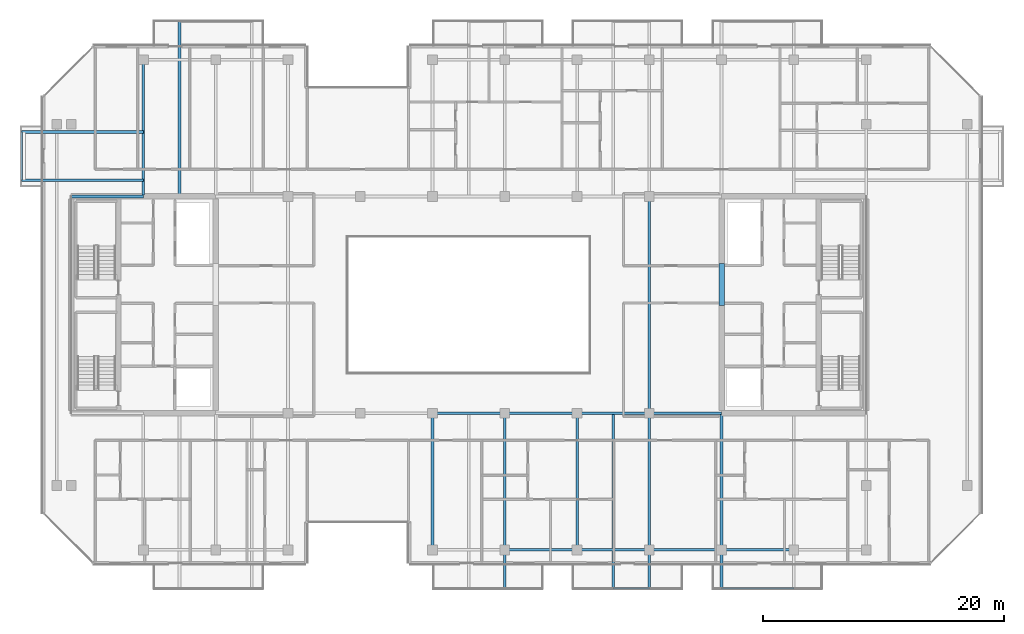
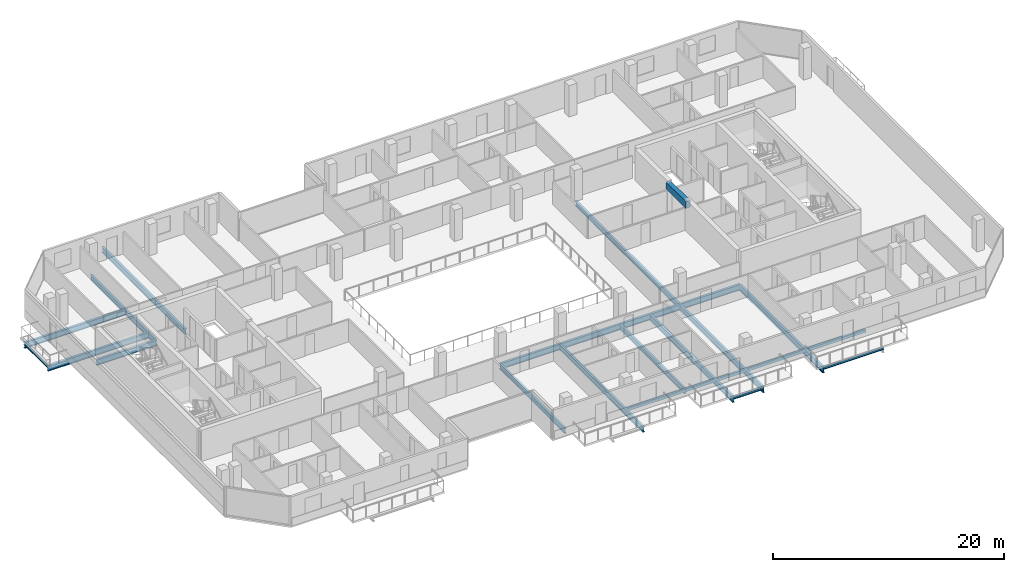
# One storey, part 7 of 28: 24 beams.
"""IFC4 building model written with IfcOpenShell, lengths in metres."""

from ifc_helpers import new_model, si_unit, direction, frame, origin, origin_2d, place, context, subcontext, project, spatial, rectangle, hollow_rectangle, i_section, extrude, material, material_profile, profile_set, type_object, element, save


model = new_model("IFC4")

# Units and contexts
model_context = context("Model", 3, precision=1e-05, world=origin(), true_north=direction((0.0, 1.0)))
body_context = subcontext(model_context, "Body", "Model", "MODEL_VIEW")
ifc_project = project(units=[si_unit("LENGTHUNIT", "METRE"), si_unit("AREAUNIT", "SQUARE_METRE"), si_unit("VOLUMEUNIT", "CUBIC_METRE"), si_unit("PLANEANGLEUNIT", "RADIAN"), si_unit("MASSUNIT", "GRAM", prefix="KILO")], contexts=[model_context])

# Site, building, storey
site_placement = place(None, origin())
site = spatial("IfcSite", under=ifc_project, at=site_placement, CompositionType="ELEMENT")
building_placement = place(site_placement, origin())
building = spatial("IfcBuilding", under=site, at=building_placement, Name="Tanjung Sevakor Pilgrim Tower", CompositionType="ELEMENT")
storey_placement = place(building_placement, frame((0.0, 0.0, 185.1298828125)))
storey = spatial("IfcBuildingStorey", under=building, at=storey_placement, Name="L51", CompositionType="ELEMENT", Elevation=185.1298828125)

# Beams
ifc_material_1 = material(Name="Steel S355J2", Category="steel")
ifc_material_profile_1 = material_profile(ifc_material_1, i_section(OverallWidth=0.22900390625, OverallDepth=0.6123046875, WebThickness=0.011962890625, FlangeThickness=0.01953125, FilletRadius=0.0126953125, at=origin_2d()))
ifc_profile_set_1 = profile_set([ifc_material_profile_1], Name="Steel S355J2")
beam_type_1 = type_object("IfcBeamType", Name="BM-B-G4-UB_610x229x125", PredefinedType="BEAM", material=ifc_profile_set_1)
for number, where, z_axis, x_axis, name in (
    (1, (30.0, 43.949951171875, -0.52587890625), (-1.0, 0.0, 0.0), (0.0, -1.0, 0.0), "L51 Balcony Overhanging Beam MAIN-W1-1"),
    (2, (30.0, 47.949951171875, -0.52587890625), (-1.0, 0.0, 0.0), (0.0, -1.0, 0.0), "L51 Balcony Overhanging Beam MAIN-W1-2"),
):
    element("IfcBeam", number, at=place(storey_placement, frame(where, z_axis=z_axis, x_axis=x_axis)), inside=storey, type_object=beam_type_1, Name=name, PredefinedType="BEAM", context=body_context, shape_type="SweptSolid", body=[
        extrude(i_section(OverallWidth=0.22900390625, OverallDepth=0.6123046875, WebThickness=0.011962890625, FlangeThickness=0.01953125, FilletRadius=0.0126953125, at=origin_2d()), origin(), (0.0, 0.0, 1.0), 10.1298828125),
    ])
for number, where, z_axis, x_axis, name in (
    (3, (54.0, 24.60009765625, -0.52587890625), (1.0, 0.0, 0.0), (0.0, 1.0, 0.0), "L51 Primary Floor Girder MAIN Y246-05"),
    (4, (60.0, 24.60009765625, -0.52587890625), (1.0, 0.0, 0.0), (0.0, 1.0, 0.0), "L51 Primary Floor Girder MAIN Y246-06"),
    (5, (66.0, 24.60009765625, -0.52587890625), (1.0, 0.0, 0.0), (0.0, 1.0, 0.0), "L51 Primary Floor Girder MAIN Y246-07"),
    (6, (72.0, 24.60009765625, -0.52587890625), (1.0, 0.0, 0.0), (0.0, 1.0, 0.0), "L51 Primary Floor Girder MAIN Y246-08"),
    (7, (24.0, 42.60009765625, -0.52587890625), (1.0, 0.0, 0.0), (0.0, 1.0, 0.0), "L51 Primary Floor Girder MAIN Y426-01"),
):
    element("IfcBeam", number, at=place(storey_placement, frame(where, z_axis=z_axis, x_axis=x_axis)), inside=storey, type_object=beam_type_1, Name=name, PredefinedType="BEAM", context=body_context, shape_type="SweptSolid", body=[
        extrude(i_section(OverallWidth=0.22900390625, OverallDepth=0.6123046875, WebThickness=0.011962890625, FlangeThickness=0.01953125, FilletRadius=0.0126953125, at=origin_2d()), origin(), (0.0, 0.0, 1.0), 6.0),
    ])
beam_1_placement = place(storey_placement, frame((33.0, 42.714599609375, -0.52587890625), z_axis=(0.0, 1.0, 0.0), x_axis=(-1.0, 0.0, 0.0)))
element("IfcBeam", 8, at=beam_1_placement, inside=storey, type_object=beam_type_1, Name="L51 Balcony Cantilever Beam MAIN-N1-1", PredefinedType="BEAM", context=body_context, shape_type="SweptSolid", body=[
    extrude(i_section(OverallWidth=0.22900390625, OverallDepth=0.6123046875, WebThickness=0.011962890625, FlangeThickness=0.01953125, FilletRadius=0.0126953125, at=origin_2d()), origin(), (0.0, 0.0, 1.0), 14.415283203125),
])
beam_2_placement = place(storey_placement, frame((60.0, 24.60009765625, -0.52587890625), z_axis=(0.0, -1.0, 0.0), x_axis=(1.0, 0.0, 0.0)))
element("IfcBeam", 9, at=beam_2_placement, inside=storey, type_object=beam_type_1, Name="L51 Balcony Cantilever Beam MAIN-S2-2", PredefinedType="BEAM", context=body_context, shape_type="SweptSolid", body=[
    extrude(i_section(OverallWidth=0.22900390625, OverallDepth=0.6123046875, WebThickness=0.011962890625, FlangeThickness=0.01953125, FilletRadius=0.0126953125, at=origin_2d()), origin(), (0.0, 0.0, 1.0), 14.530029296875),
])
beam_3_placement = place(storey_placement, frame((69.0, 24.485595703125, -0.52587890625), z_axis=(0.0, -1.0, 0.0), x_axis=(1.0, 0.0, 0.0)))
element("IfcBeam", 10, at=beam_3_placement, inside=storey, type_object=beam_type_1, Name="L51 Balcony Cantilever Beam MAIN-S3-1", PredefinedType="BEAM", context=body_context, shape_type="SweptSolid", body=[
    extrude(i_section(OverallWidth=0.22900390625, OverallDepth=0.6123046875, WebThickness=0.011962890625, FlangeThickness=0.01953125, FilletRadius=0.0126953125, at=origin_2d()), origin(), (0.0, 0.0, 1.0), 14.41552734375),
])
beam_4_placement = place(storey_placement, frame((72.0, 24.60009765625, -0.52587890625), z_axis=(0.0, -1.0, 0.0), x_axis=(1.0, 0.0, 0.0)))
element("IfcBeam", 11, at=beam_4_placement, inside=storey, type_object=beam_type_1, Name="L51 Balcony Cantilever Beam MAIN-S3-2", PredefinedType="BEAM", context=body_context, shape_type="SweptSolid", body=[
    extrude(i_section(OverallWidth=0.22900390625, OverallDepth=0.6123046875, WebThickness=0.011962890625, FlangeThickness=0.01953125, FilletRadius=0.0126953125, at=origin_2d()), origin(), (0.0, 0.0, 1.0), 14.530029296875),
])
beam_5_placement = place(storey_placement, frame((78.0, 24.485595703125, -0.52587890625), z_axis=(0.0, -1.0, 0.0), x_axis=(1.0, 0.0, 0.0)))
element("IfcBeam", 12, at=beam_5_placement, inside=storey, type_object=beam_type_1, Name="L51 Balcony Cantilever Beam MAIN-S4-1", PredefinedType="BEAM", context=body_context, shape_type="SweptSolid", body=[
    extrude(i_section(OverallWidth=0.22900390625, OverallDepth=0.6123046875, WebThickness=0.011962890625, FlangeThickness=0.01953125, FilletRadius=0.0126953125, at=origin_2d()), origin(), (0.0, 0.0, 1.0), 14.41552734375),
])
ifc_material_2 = material(Name="Steel S355J2", Category="steel")
ifc_material_profile_2 = material_profile(ifc_material_2, i_section(OverallWidth=0.2119140625, OverallDepth=0.54443359375, WebThickness=0.0126953125, FlangeThickness=0.021240234375, FilletRadius=0.0126953125, at=origin_2d()))
ifc_profile_set_2 = profile_set([ifc_material_profile_2], Name="Steel S355J2")
beam_type_2 = type_object("IfcBeamType", Name="BM-B-G5-UB_533x210x122", PredefinedType="BEAM", material=ifc_profile_set_2)
beam_6_placement = place(storey_placement, frame((30.0, 42.714599609375, -0.4921875), z_axis=(0.0, 1.0, 0.0), x_axis=(-1.0, 0.0, 0.0)))
element("IfcBeam", 13, at=beam_6_placement, inside=storey, type_object=beam_type_2, Name="L51 MAIN Girder 002", PredefinedType="BEAM", context=body_context, shape_type="SweptSolid", body=[
    extrude(i_section(OverallWidth=0.2119140625, OverallDepth=0.54443359375, WebThickness=0.0126953125, FlangeThickness=0.021240234375, FilletRadius=0.0126953125, at=origin_2d()), origin(), (0.0, 0.0, 1.0), 11.2353515625),
])
for number, where, z_axis, x_axis, name in (
    (14, (54.0, 13.25, -0.4921875), (0.0, 1.0, 0.0), (-1.0, 0.0, 0.0), "L51 MAIN Girder 008"),
    (15, (66.0, 13.25, -0.4921875), (0.0, 1.0, 0.0), (-1.0, 0.0, 0.0), "L51 MAIN Girder 010"),
):
    element("IfcBeam", number, at=place(storey_placement, frame(where, z_axis=z_axis, x_axis=x_axis)), inside=storey, type_object=beam_type_2, Name=name, PredefinedType="BEAM", context=body_context, shape_type="SweptSolid", body=[
        extrude(i_section(OverallWidth=0.2119140625, OverallDepth=0.54443359375, WebThickness=0.0126953125, FlangeThickness=0.021240234375, FilletRadius=0.0126953125, at=origin_2d()), origin(), (0.0, 0.0, 1.0), 11.35009765625),
    ])
beam_7_placement = place(storey_placement, frame((72.0, 24.60009765625, -0.4921875), z_axis=(0.0, 1.0, 0.0), x_axis=(-1.0, 0.0, 0.0)))
element("IfcBeam", 16, at=beam_7_placement, inside=storey, type_object=beam_type_2, Name="L51 MAIN Girder 012", PredefinedType="BEAM", context=body_context, shape_type="SweptSolid", body=[
    extrude(i_section(OverallWidth=0.2119140625, OverallDepth=0.54443359375, WebThickness=0.0126953125, FlangeThickness=0.021240234375, FilletRadius=0.0126953125, at=origin_2d()), origin(), (0.0, 0.0, 1.0), 18.0),
])
ifc_material_3 = material(Name="Steel S355J2", Category="steel")
ifc_material_profile_3 = material_profile(ifc_material_3, i_section(OverallWidth=0.146484375, OverallDepth=0.256103515625, WebThickness=0.00634765625, FlangeThickness=0.010986328125, FilletRadius=0.007568359375, at=origin_2d()))
ifc_profile_set_3 = profile_set([ifc_material_profile_3], Name="Steel S355J2")
beam_type_3 = type_object("IfcBeamType", Name="BM-B-J6-UB_254x146x37", PredefinedType="JOIST", material=ifc_profile_set_3)
beam_8_placement = place(storey_placement, frame((69.0, 10.070068359375, -0.327880859375), z_axis=(1.0, 0.0, 0.0), x_axis=(0.0, 1.0, 0.0)))
element("IfcBeam", 17, at=beam_8_placement, inside=storey, type_object=beam_type_3, Name="L51 Balcony Rim Tie MAIN-S3", PredefinedType="JOIST", context=body_context, shape_type="SweptSolid", body=[
    extrude(i_section(OverallWidth=0.146484375, OverallDepth=0.256103515625, WebThickness=0.00634765625, FlangeThickness=0.010986328125, FilletRadius=0.007568359375, at=origin_2d()), origin(), (0.0, 0.0, 1.0), 3.0),
])
beam_9_placement = place(storey_placement, frame((78.0, 10.070068359375, -0.327880859375), z_axis=(1.0, 0.0, 0.0), x_axis=(0.0, 1.0, 0.0)))
element("IfcBeam", 18, at=beam_9_placement, inside=storey, type_object=beam_type_3, Name="L51 Balcony Rim Tie MAIN-S4", PredefinedType="JOIST", context=body_context, shape_type="SweptSolid", body=[
    extrude(i_section(OverallWidth=0.146484375, OverallDepth=0.256103515625, WebThickness=0.00634765625, FlangeThickness=0.010986328125, FilletRadius=0.007568359375, at=origin_2d()), origin(), (0.0, 0.0, 1.0), 6.0),
])
beam_10_placement = place(storey_placement, frame((19.8701171875, 43.949951171875, -0.327880859375), z_axis=(0.0, 1.0, 0.0), x_axis=(-1.0, 0.0, 0.0)))
element("IfcBeam", 19, at=beam_10_placement, inside=storey, type_object=beam_type_3, Name="L51 Balcony Rim Tie MAIN-W1", PredefinedType="JOIST", context=body_context, shape_type="SweptSolid", body=[
    extrude(i_section(OverallWidth=0.146484375, OverallDepth=0.256103515625, WebThickness=0.00634765625, FlangeThickness=0.010986328125, FilletRadius=0.007568359375, at=origin_2d()), origin(), (0.0, 0.0, 1.0), 4.0),
])
ifc_material_4 = material(Name="Concrete C60/75", Category="concrete")
ifc_material_profile_4 = material_profile(ifc_material_4, rectangle(XDim=0.449951171875, YDim=0.699951171875, at=origin_2d()))
ifc_profile_set_4 = profile_set([ifc_material_profile_4], Name="Concrete C60/75")
beam_type_4 = type_object("IfcBeamType", Name="BM-B-LN3-RC-BM_450x700", PredefinedType="LINTEL", material=ifc_profile_set_4)
beam_11_placement = place(storey_placement, frame((78.0, 33.550048828125, 2.730224609375), z_axis=(0.0, 1.0, 0.0), x_axis=(-1.0, 0.0, 0.0)))
element("IfcBeam", 20, at=beam_11_placement, inside=storey, type_object=beam_type_4, Name="L51 E Core Coupling Lintel", PredefinedType="LINTEL", context=body_context, shape_type="SweptSolid", body=[
    extrude(rectangle(XDim=0.449951171875, YDim=0.699951171875, at=origin_2d()), origin(), (0.0, 0.0, 1.0), 3.5),
])
ifc_material_5 = material(Name="Steel S355J2", Category="steel")
ifc_material_profile_5 = material_profile(ifc_material_5, hollow_rectangle(XDim=0.199951171875, YDim=0.300048828125, WallThickness=0.012451171875, at=origin_2d()))
ifc_profile_set_5 = profile_set([ifc_material_profile_5], Name="Steel S355J2")
beam_type_5 = type_object("IfcBeamType", Name="BM-B-SP3-RHS_300x200x12.5", PredefinedType="SPANDREL", material=ifc_profile_set_5)
for number, where, z_axis, x_axis, name in (
    (21, (60.0, 13.25, -0.369873046875), (1.0, 0.0, 0.0), (0.0, 1.0, 0.0), "L51 Spandrel MAIN S-07"),
    (22, (66.0, 13.25, -0.369873046875), (1.0, 0.0, 0.0), (0.0, 1.0, 0.0), "L51 Spandrel MAIN S-09"),
    (23, (72.0, 13.25, -0.369873046875), (1.0, 0.0, 0.0), (0.0, 1.0, 0.0), "L51 Spandrel MAIN S-11"),
    (24, (78.0, 13.25, -0.369873046875), (1.0, 0.0, 0.0), (0.0, 1.0, 0.0), "L51 Spandrel MAIN S-13"),
):
    element("IfcBeam", number, at=place(storey_placement, frame(where, z_axis=z_axis, x_axis=x_axis)), inside=storey, type_object=beam_type_5, Name=name, PredefinedType="SPANDREL", context=body_context, shape_type="SweptSolid", body=[
        extrude(hollow_rectangle(XDim=0.199951171875, YDim=0.300048828125, WallThickness=0.012451171875, at=origin_2d()), origin(), (0.0, 0.0, 1.0), 6.0),
    ])

save(model, "model.ifc")
